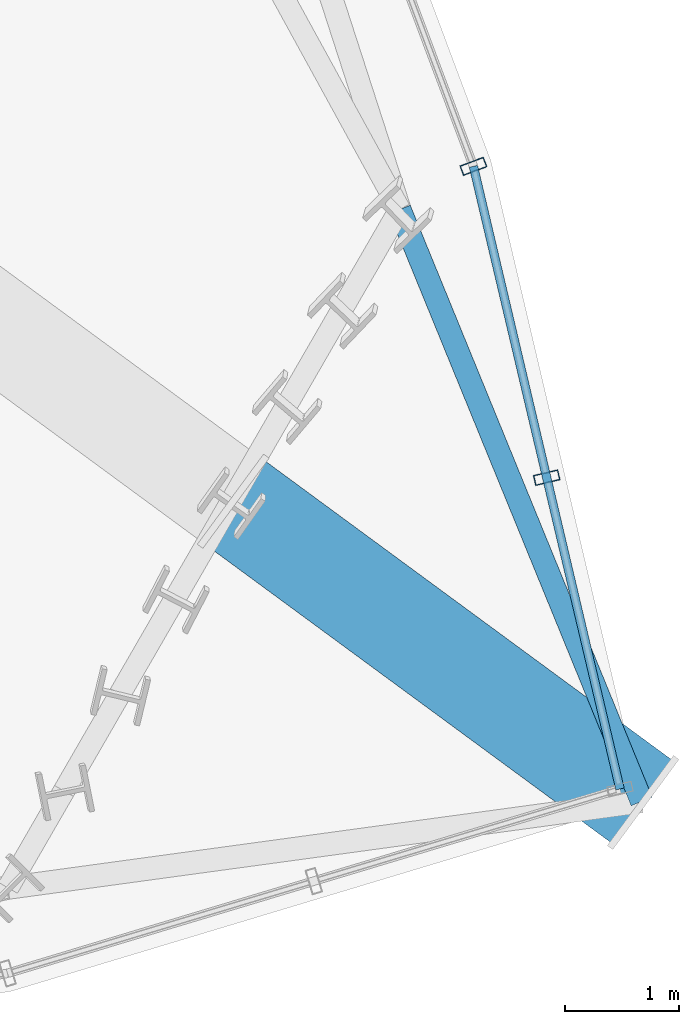
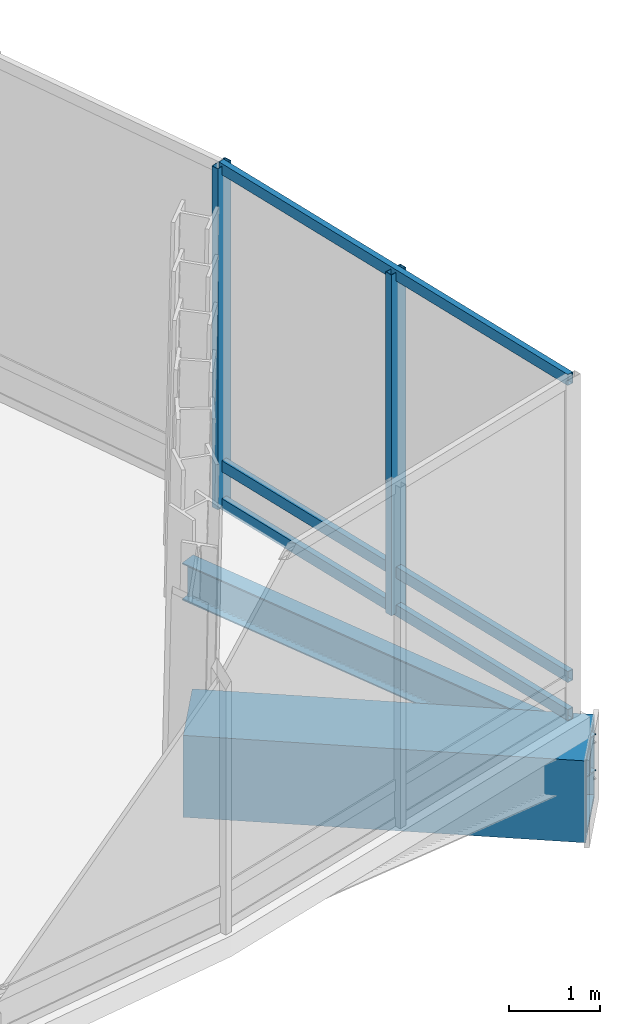
# One storey, part 11 of 28: 5 members, 2 beams, 2 elements without a shape of their own.
"""IFC4 building model written with IfcOpenShell, lengths in metres."""

from ifc_helpers import new_model, si_unit, direction, frame, origin, origin_2d, place, context, subcontext, project, spatial, hollow_rectangle, i_section, extrude, material, layer, layer_set, material_profile, profile_set, type_object, element, aggregate, save


model = new_model("IFC4")

# Units and contexts
model_context = context("Model", 3, precision=1e-05, world=origin(), true_north=direction((0.0, 1.0)))
body_context = subcontext(model_context, "Body", "Model", "MODEL_VIEW")
ifc_project = project(units=[si_unit("LENGTHUNIT", "METRE"), si_unit("AREAUNIT", "SQUARE_METRE"), si_unit("VOLUMEUNIT", "CUBIC_METRE"), si_unit("PLANEANGLEUNIT", "RADIAN"), si_unit("MASSUNIT", "GRAM", prefix="KILO")], contexts=[model_context])

# Site, building, storey
site_placement = place(None, origin())
site = spatial("IfcSite", under=ifc_project, at=site_placement, CompositionType="ELEMENT")
building_placement = place(site_placement, origin())
building = spatial("IfcBuilding", under=site, at=building_placement, Name="Ndaravel Arena Tower", CompositionType="ELEMENT")
storey_placement = place(building_placement, frame((0.0, 0.0, 213.199951171875)))
storey = spatial("IfcBuildingStorey", under=building, at=storey_placement, Name="L51", CompositionType="ELEMENT", Elevation=213.199951171875)

# Beams
ifc_material_1 = material(Name="Steel S355", Category="steel")
ifc_material_profile_1 = material_profile(ifc_material_1, i_section(OverallWidth=0.199951171875, OverallDepth=0.5, WebThickness=0.01025390625, FlangeThickness=0.01611328125, FilletRadius=0.02099609375, at=origin_2d()), Name="IPE 500")
ifc_profile_set_1 = profile_set([ifc_material_profile_1], Name="Steel S355")
beam_type_1 = type_object("IfcBeamType", Name="BM-SPAN-IPE500", PredefinedType="SPANDREL", material=ifc_profile_set_1)
beam_1_placement = place(storey_placement, frame((66.94921875, 6.661376953125, -0.530029296875), z_axis=(-0.378441133594, 0.925625360718, 0.0), x_axis=(-0.925625360718, -0.378441133594, 0.0)))
element("IfcBeam", 1, at=beam_1_placement, inside=storey, type_object=beam_type_1, Name="L51 Star Facet Edge Beam SEB-3", PredefinedType="SPANDREL", context=body_context, shape_type="SweptSolid", body=[
    extrude(i_section(OverallWidth=0.199951171875, OverallDepth=0.5, WebThickness=0.01025390625, FlangeThickness=0.01611328125, FilletRadius=0.02099609375, at=origin_2d()), origin(), (0.0, 0.0, 1.0), 5.603515625),
])
ifc_material_2 = material(Name="Steel S460", Category="steel")
ifc_material_profile_2 = material_profile(ifc_material_2, hollow_rectangle(XDim=0.89990234375, YDim=1.10009765625, WallThickness=0.06494140625, at=origin_2d()), Name="BOX 1100x900x65")
ifc_profile_set_2 = profile_set([ifc_material_profile_2], Name="Steel S460")
beam_type_2 = type_object("IfcBeamType", Name="BM-STAR-BOX1100", PredefinedType="BEAM", material=ifc_profile_set_2)
beam_2_placement = place(storey_placement, frame((63.35791015625, 9.30078125, -0.829833984375), z_axis=(0.805786322217, -0.592206385417, 0.0), x_axis=(0.592206385417, 0.805786322217, 0.0)))
element("IfcBeam", 2, at=beam_2_placement, inside=storey, type_object=beam_type_2, Name="L51 Star Cantilever Tip Girder SCG-3", PredefinedType="BEAM", context=body_context, shape_type="SweptSolid", body=[
    extrude(hollow_rectangle(XDim=0.89990234375, YDim=1.10009765625, WallThickness=0.06494140625, at=origin_2d()), origin(), (0.0, 0.0, 1.0), 4.456787109375),
])

# Curtain wall, member
ifc_material_3 = material(Name="Aluminium", Category="aluminium")
ifc_layer = layer(ifc_material_3, 0.179931640625)
ifc_layer_set = layer_set([ifc_layer], Name="Aluminium")
curtain_wall_type = type_object("IfcCurtainWallType", Name="CW-SYS-04", PredefinedType="NOTDEFINED", material=ifc_layer_set)
curtain_wall_1_placement = place(storey_placement, origin())
curtain_wall_1 = element("IfcCurtainWall", 3, at=curtain_wall_1_placement, inside=storey, type_object=curtain_wall_type, Name="L51 Faceted Crystal Curtain Wall CW-L51-E05", PredefinedType="NOTDEFINED")
ifc_material_4 = material(Name="Aluminium", Category="aluminium")
ifc_material_profile_3 = material_profile(ifc_material_4, hollow_rectangle(XDim=0.090087890625, YDim=0.219970703125, WallThickness=0.0048828125, at=origin_2d()), Name="CW MULLION 90x220x5")
ifc_profile_set_3 = profile_set([ifc_material_profile_3], Name="Aluminium")
member_type_1 = type_object("IfcMemberType", Name="MEM-CW-MUL220", PredefinedType="MULLION", material=ifc_profile_set_3)
member_1_placement = place(storey_placement, frame((66.11669921875, 9.49853515625, 0.0), z_axis=(0.0, 0.0, 1.0), x_axis=(-0.22921737956, 0.973375258011, 0.0)))
member_1 = element("IfcMember", 4, at=member_1_placement, type_object=member_type_1, Name="CW-L51-E05 Mullion 01", PredefinedType="MULLION", context=body_context, shape_type="SweptSolid", body=[
    extrude(hollow_rectangle(XDim=0.090087890625, YDim=0.219970703125, WallThickness=0.0048828125, at=origin_2d()), origin(), (0.0, 0.0, 1.0), 4.580078125),
])

curtain_wall_2_placement = place(storey_placement, origin())
curtain_wall_2 = element("IfcCurtainWall", 5, at=curtain_wall_2_placement, inside=storey, type_object=curtain_wall_type, Name="L51 Faceted Crystal Curtain Wall CW-L51-E06", PredefinedType="NOTDEFINED")
member_2_placement = place(storey_placement, frame((65.474609375, 12.22607421875, 0.0), z_axis=(0.0, 0.0, 1.0), x_axis=(-0.350272772461, 0.936647737878, 0.0)))
member_2 = element("IfcMember", 6, at=member_2_placement, type_object=member_type_1, Name="CW-L51-E06 Mullion 00", PredefinedType="MULLION", context=body_context, shape_type="SweptSolid", body=[
    extrude(hollow_rectangle(XDim=0.090087890625, YDim=0.219970703125, WallThickness=0.0048828125, at=origin_2d()), origin(), (0.0, 0.0, 1.0), 4.580078125),
])
aggregate(curtain_wall_2, [member_2])

# Member
ifc_material_5 = material(Name="Aluminium", Category="aluminium")
ifc_material_profile_4 = material_profile(ifc_material_5, hollow_rectangle(XDim=0.074951171875, YDim=0.14990234375, WallThickness=0.00390625, at=origin_2d()), Name="CW TRANSOM 75x150x4")
ifc_profile_set_4 = profile_set([ifc_material_profile_4], Name="Aluminium")
member_type_2 = type_object("IfcMemberType", Name="MEM-CW-TRN150", PredefinedType="USERDEFINED", material=ifc_profile_set_4)
member_3_placement = place(storey_placement, frame((66.759033203125, 6.77099609375, 0.0400390625), z_axis=(-0.229187446892, 0.973382306284, 0.0), x_axis=(-0.973382306284, -0.229187446892, 0.0)))
member_3 = element("IfcMember", 7, at=member_3_placement, type_object=member_type_2, Name="CW-L51-E05 Transom 01", ObjectType="TRANSOM", PredefinedType="USERDEFINED", context=body_context, shape_type="SweptSolid", body=[
    extrude(hollow_rectangle(XDim=0.074951171875, YDim=0.14990234375, WallThickness=0.00390625, at=origin_2d()), origin(), (0.0, 0.0, 1.0), 5.604248046875),
])

member_4_placement = place(storey_placement, frame((66.759033203125, 6.77099609375, 0.550048828125), z_axis=(-0.229187446892, 0.973382306284, 0.0), x_axis=(-0.973382306284, -0.229187446892, 0.0)))
member_4 = element("IfcMember", 8, at=member_4_placement, type_object=member_type_2, Name="CW-L51-E05 Transom 02", ObjectType="TRANSOM", PredefinedType="USERDEFINED", context=body_context, shape_type="SweptSolid", body=[
    extrude(hollow_rectangle(XDim=0.074951171875, YDim=0.14990234375, WallThickness=0.00390625, at=origin_2d()), origin(), (0.0, 0.0, 1.0), 5.604248046875),
])

member_5_placement = place(storey_placement, frame((66.759033203125, 6.77099609375, 4.5400390625), z_axis=(-0.229187446892, 0.973382306284, 0.0), x_axis=(-0.973382306284, -0.229187446892, 0.0)))
member_5 = element("IfcMember", 9, at=member_5_placement, type_object=member_type_2, Name="CW-L51-E05 Transom 03", ObjectType="TRANSOM", PredefinedType="USERDEFINED", context=body_context, shape_type="SweptSolid", body=[
    extrude(hollow_rectangle(XDim=0.074951171875, YDim=0.14990234375, WallThickness=0.00390625, at=origin_2d()), origin(), (0.0, 0.0, 1.0), 5.604248046875),
])

aggregate(curtain_wall_1, [member_1, member_3, member_4, member_5])

save(model, "model.ifc")
